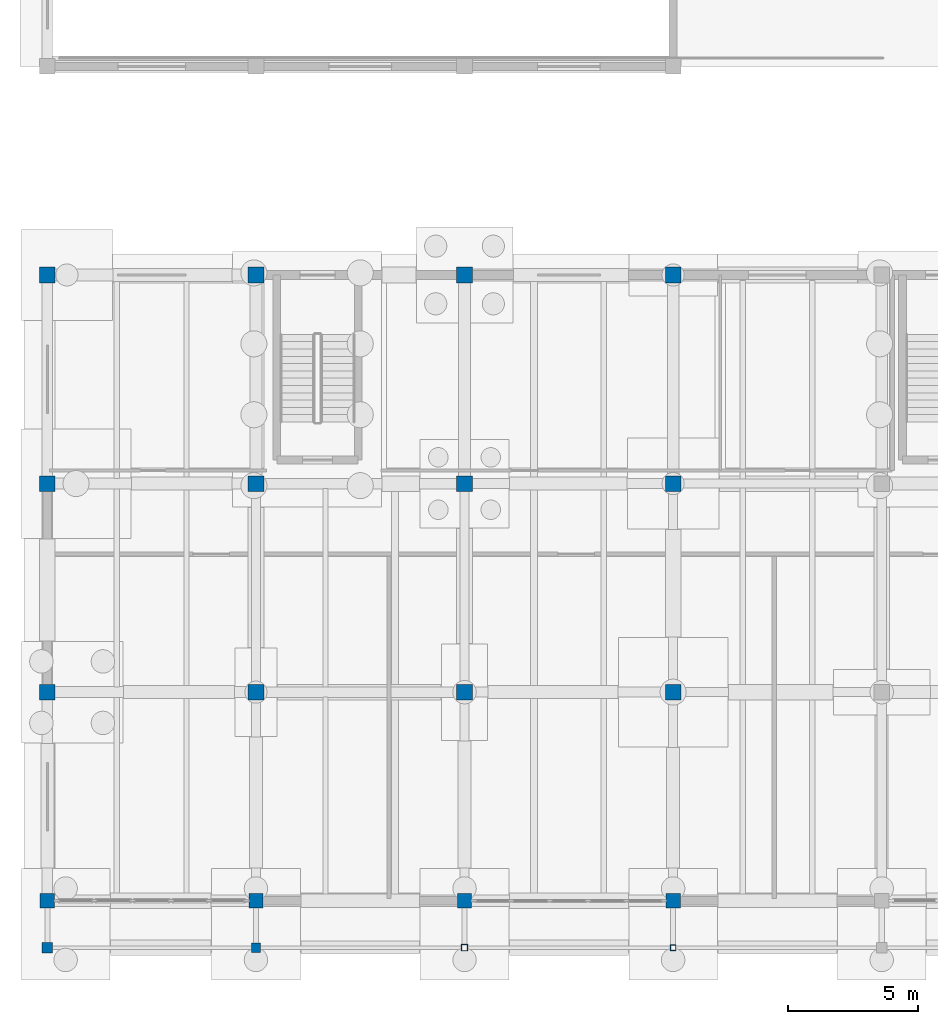
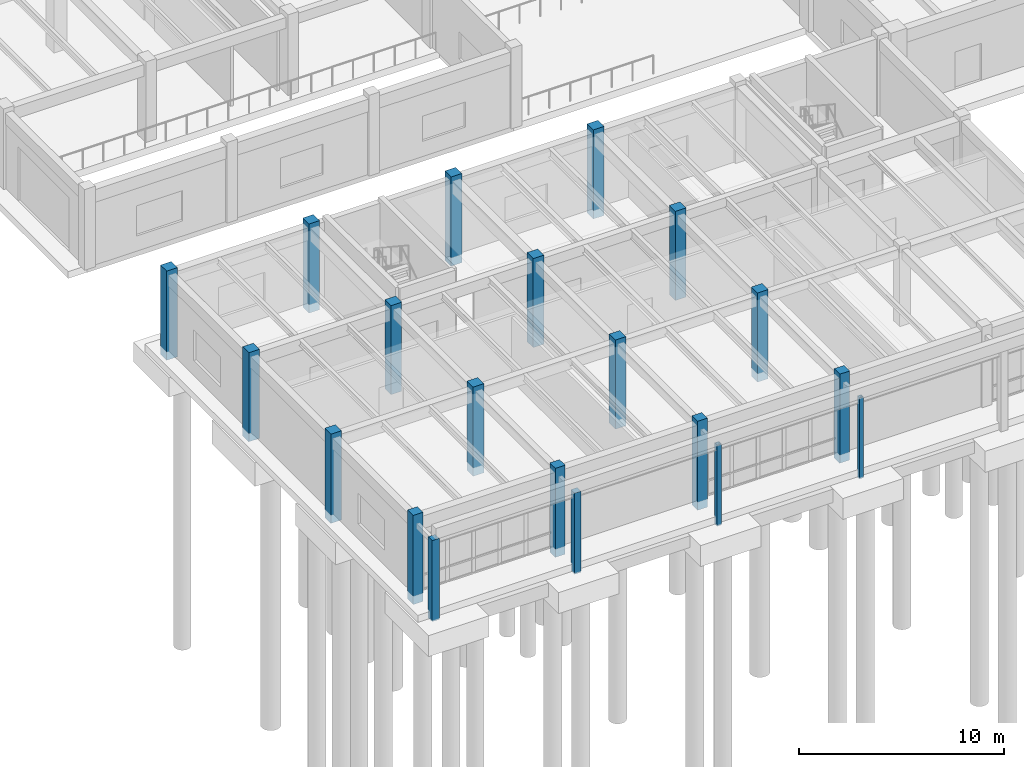
# One storey, part 5 of 64: 20 columns.
"""IFC4 building model written with IfcOpenShell, lengths in metres."""

import ifcopenshell
import ifcopenshell.guid

model = None  # the IFC model being written
_history = None  # IfcOwnerHistory: only IFC2X3 demands one
_inside = {}  # id of a spatial element -> (the spatial element, [elements in it])
_under = {}  # id of a project, library or spatial element -> (it, [spatial elements below it])
_declared = {}  # id of a project -> (the project, [libraries it declares])
_typed = {}  # id of a type object -> (the type object, [elements of that type])
_made_of = {}  # id of a material, layer set ... -> (it, [elements and type objects made of it])


def new_model(schema):
    """Start an empty IFC model of exactly this schema.

    Asked for "IFC4X3", IfcOpenShell would pick the latest addendum, in which some entities
    have other attributes; the version numbers below select the first issue.
    IFC2X3 requires an IfcOwnerHistory on every rooted entity: one is made here for all.
    """
    global model, _history
    if schema == "IFC4X3":
        model = ifcopenshell.file(schema_version=(4, 3, 0, 0))
    else:
        model = ifcopenshell.file(schema=schema)
    _inside.clear()
    _under.clear()
    _declared.clear()
    _typed.clear()
    _made_of.clear()
    _history = None
    if model.schema == "IFC2X3":
        org = make("IfcOrganization", Name="unknown")
        user = make(
            "IfcPersonAndOrganization",
            ThePerson=make("IfcPerson", FamilyName="unknown"),
            TheOrganization=org,
        )
        app = make(
            "IfcApplication",
            ApplicationDeveloper=org,
            Version="unknown",
            ApplicationFullName="unknown",
            ApplicationIdentifier="unknown",
        )
        _history = make(
            "IfcOwnerHistory",
            OwningUser=user,
            OwningApplication=app,
            ChangeAction="ADDED",
            CreationDate=0,
        )
    return model


def make(cls, **values):
    """One entity of the class cls with the attributes given. An attribute that is None is left unset."""
    return model.create_entity(
        cls, **{name: value for name, value in values.items() if value is not None}
    )


def rooted(cls, **values):
    """An entity with a GlobalId (a new one), such as an element, a storey or a relation."""
    return make(cls, GlobalId=ifcopenshell.guid.new(), OwnerHistory=_history, **values)


def si_unit(unit_type, name, prefix=None):
    """IfcSIUnit, for example si_unit("LENGTHUNIT", "METRE", prefix="MILLI")."""
    return make("IfcSIUnit", UnitType=unit_type, Prefix=prefix, Name=name)


def assignment(units):
    """IfcUnitAssignment: the units of a project."""
    return None if units is None else make("IfcUnitAssignment", Units=units)


def point(xyz):
    """IfcCartesianPoint."""
    return None if xyz is None else make("IfcCartesianPoint", Coordinates=xyz)


def direction(xyz):
    """IfcDirection."""
    return None if xyz is None else make("IfcDirection", DirectionRatios=xyz)


def frame(location, z_axis=None, x_axis=None):
    """IfcAxis2Placement3D, a coordinate frame: its origin and axes. An axis left out is left unset."""
    return make(
        "IfcAxis2Placement3D",
        Location=point(location),
        Axis=direction(z_axis),
        RefDirection=direction(x_axis),
    )


def frame_2d(location, x_axis=None):
    """IfcAxis2Placement2D, a coordinate frame in the plane: its origin and x axis."""
    return make(
        "IfcAxis2Placement2D", Location=point(location), RefDirection=direction(x_axis)
    )


def origin():
    """The frame at (0, 0, 0) with its axes left unset."""
    return frame((0.0, 0.0, 0.0))


def origin_2d():
    """The frame at (0, 0) in the plane with its x axis left unset."""
    return frame_2d((0.0, 0.0))


def place(relative_to, where):
    """IfcLocalPlacement: puts the frame where relative to a parent placement (None: the world)."""
    return make(
        "IfcLocalPlacement", PlacementRelTo=relative_to, RelativePlacement=where
    )


def context(
    kind, dimensions, precision=None, world=None, true_north=None, identifier=None
):
    """IfcGeometricRepresentationContext, for example the 3D "Model" context."""
    return make(
        "IfcGeometricRepresentationContext",
        ContextIdentifier=identifier,
        ContextType=kind,
        CoordinateSpaceDimension=dimensions,
        Precision=precision,
        WorldCoordinateSystem=world,
        TrueNorth=true_north,
    )


def subcontext(parent, identifier, kind, view, scale=None):
    """IfcGeometricRepresentationSubContext, for example "Body" below "Model"."""
    return make(
        "IfcGeometricRepresentationSubContext",
        ContextIdentifier=identifier,
        ContextType=kind,
        ParentContext=parent,
        TargetScale=scale,
        TargetView=view,
    )


def project(units=None, contexts=None):
    """IfcProject with its units and contexts."""
    return rooted(
        "IfcProject",
        Name="project",
        RepresentationContexts=contexts,
        UnitsInContext=assignment(units),
    )


def spatial(cls, under=None, at=None, **own):
    """A site, building, storey or space (cls), placed at a placement, below another one or the project."""
    s = rooted(cls, ObjectPlacement=at, **own)
    if under is not None:
        _under.setdefault(under.id(), (under, []))[1].append(s)
    return s


def profile(cls, at=None, kind="AREA", **sizes):
    """A parametric profile (cls). Its sizes go by their IFC names, for example OverallWidth=200.0."""
    return make(cls, ProfileType=kind, Position=at, **sizes)


def rectangle(**sizes):
    """IfcRectangleProfileDef."""
    return profile("IfcRectangleProfileDef", **sizes)


def hollow_rectangle(**sizes):
    """IfcRectangleHollowProfileDef."""
    return profile("IfcRectangleHollowProfileDef", **sizes)


def extrude(swept, where, along, depth):
    """IfcExtrudedAreaSolid: the profile swept, set in the frame where, extruded along a direction by depth."""
    return make(
        "IfcExtrudedAreaSolid",
        SweptArea=swept,
        Position=where,
        ExtrudedDirection=direction(along),
        Depth=depth,
    )


def shape(context_of_items, identifier, shape_type, items):
    """IfcShapeRepresentation: the items that make up one representation, for example the "Body"."""
    return make(
        "IfcShapeRepresentation",
        ContextOfItems=context_of_items,
        RepresentationIdentifier=identifier,
        RepresentationType=shape_type,
        Items=items,
    )


def material(Name=None, Category=None):
    """IfcMaterial."""
    return make("IfcMaterial", Name=Name, Category=Category)


def material_profile(
    of_material, cross_section, Name=None, Category=None, Priority=None
):
    """IfcMaterialProfile: a cross section and its material."""
    return make(
        "IfcMaterialProfile",
        Name=Name,
        Material=of_material,
        Profile=cross_section,
        Priority=Priority,
        Category=Category,
    )


def profile_set(profiles, Name=None, composite=None):
    """IfcMaterialProfileSet."""
    return make(
        "IfcMaterialProfileSet",
        Name=Name,
        MaterialProfiles=profiles,
        CompositeProfile=composite,
    )


def made_of(thing, what):
    """Note that an element or type object is made of a material, layer set ...; save() writes the relation."""
    if what is not None:
        _made_of.setdefault(what.id(), (what, []))[1].append(thing)
    return thing


def type_object(cls, material=None, **own):
    """A type object (cls), such as IfcWallType, which elements share."""
    return made_of(rooted(cls, **own), material)


def element(
    cls,
    number,
    at=None,
    inside=None,
    cuts=None,
    type_object=None,
    material=None,
    context=None,
    identifier="Body",
    shape_type=None,
    held_by="IfcProductDefinitionShape",
    body=None,
    shapes=None,
    **own,
):
    """One element of the class cls, such as IfcWall. Its Tag is "e" and its number.

    at: its placement. inside: the storey or other place that contains it. cuts: it is an
    opening in that element (IfcRelVoidsElement). A single representation is given by context,
    identifier, shape_type and body (its items); several are given by shapes. held_by: the class
    of the entity that holds the representations. save() writes the other relations.
    """
    e = rooted(cls, Tag="e%d" % number, ObjectPlacement=at, **own)
    if body is not None:
        shapes = [shape(context, identifier, shape_type, body)]
    if shapes is not None:
        e.Representation = make(held_by, Representations=shapes)
    if inside is not None:
        _inside.setdefault(inside.id(), (inside, []))[1].append(e)
    if cuts is not None:
        rooted(
            "IfcRelVoidsElement", RelatingBuildingElement=cuts, RelatedOpeningElement=e
        )
    if type_object is not None:
        _typed.setdefault(type_object.id(), (type_object, []))[1].append(e)
    return made_of(e, material)


def aggregate(whole, parts):
    """IfcRelAggregates: a whole, such as a stair, and the parts it consists of."""
    return rooted("IfcRelAggregates", RelatingObject=whole, RelatedObjects=parts)


def save(model, path):
    """Write the relations noted so far, then the file.

    IfcRelAggregates (storeys below a building ...), IfcRelContainedInSpatialStructure (elements
    in a storey), IfcRelDefinesByType, IfcRelAssociatesMaterial and IfcRelDeclares: one each for
    every whole, place, type object, material and project.
    """
    for whole, parts in _under.values():
        aggregate(whole, parts)
    for where, things in _inside.values():
        rooted(
            "IfcRelContainedInSpatialStructure",
            RelatedElements=things,
            RelatingStructure=where,
        )
    for kind, things in _typed.values():
        rooted("IfcRelDefinesByType", RelatedObjects=things, RelatingType=kind)
    for what, things in _made_of.values():
        rooted("IfcRelAssociatesMaterial", RelatedObjects=things, RelatingMaterial=what)
    for by, libraries in _declared.values():
        rooted("IfcRelDeclares", RelatingContext=by, RelatedDefinitions=libraries)
    model.write(path)


model = new_model("IFC4")

# Units and contexts
model_context = context("Model", 3, precision=1e-05, world=origin(), true_north=direction((0.0, 1.0)))
body_context = subcontext(model_context, "Body", "Model", "MODEL_VIEW")
ifc_project = project(units=[si_unit("LENGTHUNIT", "METRE"), si_unit("AREAUNIT", "SQUARE_METRE"), si_unit("VOLUMEUNIT", "CUBIC_METRE"), si_unit("PLANEANGLEUNIT", "RADIAN"), si_unit("MASSUNIT", "GRAM", prefix="KILO")], contexts=[model_context])

# Site, building, storey
site_placement = place(None, origin())
site = spatial("IfcSite", under=ifc_project, at=site_placement, CompositionType="ELEMENT")
building_placement = place(site_placement, origin())
building = spatial("IfcBuilding", under=site, at=building_placement, Name="Tlaxcora Railside Police Headquarters", CompositionType="ELEMENT")
storey_placement = place(building_placement, origin())
storey = spatial("IfcBuildingStorey", under=building, at=storey_placement, Name="L00", CompositionType="ELEMENT", Elevation=0.0)

# Columns
ifc_material_1 = material(Name="Steel ASTM A992 Grade 50", Category="steel")
ifc_material_profile_1 = material_profile(ifc_material_1, hollow_rectangle(XDim=0.25, YDim=0.25, WallThickness=0.011962890625, at=origin_2d()), Name="HSS250X250X12")
ifc_profile_set_1 = profile_set([ifc_material_profile_1], Name="Steel ASTM A992 Grade 50")
column_type_1 = type_object("IfcColumnType", Name="Facade Pilaster Column CL-25", PredefinedType="PILASTER", material=ifc_profile_set_1)
column_1_placement = place(storey_placement, frame((21.199951171875, 10.199951171875, -0.5), z_axis=(0.0, 0.0, 1.0), x_axis=(1.0, 0.0, 0.0)))
element("IfcColumn", 1, at=column_1_placement, inside=storey, type_object=column_type_1, Name="Forecourt colonnade pilaster X=21.2", PredefinedType="PILASTER", context=body_context, shape_type="SweptSolid", body=[
    extrude(hollow_rectangle(XDim=0.25, YDim=0.25, WallThickness=0.011962890625, at=origin_2d()), origin(), (0.0, 0.0, 1.0), 4.820068359375),
])
ifc_material_profile_2 = material_profile(ifc_material_1, hollow_rectangle(XDim=0.219970703125, YDim=0.219970703125, WallThickness=0.011962890625, at=origin_2d()), Name="HSS220X220X12")
ifc_profile_set_2 = profile_set([ifc_material_profile_2], Name="Steel ASTM A992 Grade 50")
column_type_2 = type_object("IfcColumnType", Name="Facade Pilaster Column CL-29", PredefinedType="PILASTER", material=ifc_profile_set_2)
column_2_placement = place(storey_placement, frame((29.199951171875, 10.199951171875, -0.5), z_axis=(0.0, 0.0, 1.0), x_axis=(1.0, 0.0, 0.0)))
element("IfcColumn", 2, at=column_2_placement, inside=storey, type_object=column_type_2, Name="Forecourt colonnade pilaster X=29.2", PredefinedType="PILASTER", context=body_context, shape_type="SweptSolid", body=[
    extrude(hollow_rectangle(XDim=0.219970703125, YDim=0.219970703125, WallThickness=0.011962890625, at=origin_2d()), origin(), (0.0, 0.0, 1.0), 4.820068359375),
])
ifc_material_2 = material(Name="Precast concrete C40/50", Category="concrete")
ifc_material_profile_3 = material_profile(ifc_material_2, rectangle(XDim=0.360107421875, YDim=0.360107421875, at=origin_2d()), Name="RC360X360")
ifc_profile_set_3 = profile_set([ifc_material_profile_3], Name="Precast concrete C40/50")
column_type_3 = type_object("IfcColumnType", Name="Facade Pilaster Column CL-34", PredefinedType="PILASTER", material=ifc_profile_set_3)
column_3_placement = place(storey_placement, frame((13.199951171875, 10.199951171875, -0.5), z_axis=(0.0, 0.0, 1.0), x_axis=(1.0, 0.0, 0.0)))
element("IfcColumn", 3, at=column_3_placement, inside=storey, type_object=column_type_3, Name="Forecourt colonnade pilaster X=13.2", PredefinedType="PILASTER", context=body_context, shape_type="SweptSolid", body=[
    extrude(rectangle(XDim=0.360107421875, YDim=0.360107421875, at=origin_2d()), origin(), (0.0, 0.0, 1.0), 4.820068359375),
])
ifc_material_profile_4 = material_profile(ifc_material_2, rectangle(XDim=0.39990234375, YDim=0.39990234375, at=origin_2d()), Name="RC400X400")
ifc_profile_set_4 = profile_set([ifc_material_profile_4], Name="Precast concrete C40/50")
column_type_4 = type_object("IfcColumnType", Name="Facade Pilaster Column CL-61", PredefinedType="PILASTER", material=ifc_profile_set_4)
column_4_placement = place(storey_placement, frame((5.199951171875, 10.199951171875, -0.5), z_axis=(0.0, 0.0, 1.0), x_axis=(1.0, 0.0, 0.0)))
element("IfcColumn", 4, at=column_4_placement, inside=storey, type_object=column_type_4, Name="Forecourt colonnade pilaster X=5.2", PredefinedType="PILASTER", context=body_context, shape_type="SweptSolid", body=[
    extrude(rectangle(XDim=0.39990234375, YDim=0.39990234375, at=origin_2d()), origin(), (0.0, 0.0, 1.0), 4.820068359375),
])
ifc_material_3 = material(Name="Concrete C40/50", Category="concrete")
ifc_material_profile_5 = material_profile(ifc_material_3, rectangle(XDim=0.60009765625, YDim=0.60009765625, at=origin_2d()), Name="RC600X600")
ifc_profile_set_5 = profile_set([ifc_material_profile_5], Name="Concrete C40/50")
column_type_5 = type_object("IfcColumnType", Name="Structural Column CL-53", PredefinedType="COLUMN", material=ifc_profile_set_5)
for number, where, z_axis, x_axis, name in (
    (5, (5.199951171875, 20.0, -0.5), (0.0, 0.0, 1.0), (1.0, 0.0, 0.0), "L00 column (5.2, 20.0)"),
    (6, (5.199951171875, 28.0, -0.5), (0.0, 0.0, 1.0), (1.0, 0.0, 0.0), "L00 column (5.2, 28.0)"),
    (7, (5.199951171875, 36.0, -0.5), (0.0, 0.0, 1.0), (1.0, 0.0, 0.0), "L00 column (5.2, 36.0)"),
    (8, (13.199951171875, 20.0, -0.5), (0.0, 0.0, 1.0), (1.0, 0.0, 0.0), "L00 column (13.2, 20.0)"),
    (9, (13.199951171875, 28.0, -0.5), (0.0, 0.0, 1.0), (1.0, 0.0, 0.0), "L00 column (13.2, 28.0)"),
    (10, (13.199951171875, 36.0, -0.5), (0.0, 0.0, 1.0), (1.0, 0.0, 0.0), "L00 column (13.2, 36.0)"),
    (11, (21.199951171875, 20.0, -0.5), (0.0, 0.0, 1.0), (1.0, 0.0, 0.0), "L00 column (21.2, 20.0)"),
    (12, (21.199951171875, 28.0, -0.5), (0.0, 0.0, 1.0), (1.0, 0.0, 0.0), "L00 column (21.2, 28.0)"),
    (13, (21.199951171875, 36.0, -0.5), (0.0, 0.0, 1.0), (1.0, 0.0, 0.0), "L00 column (21.2, 36.0)"),
    (14, (29.199951171875, 20.0, -0.5), (0.0, 0.0, 1.0), (1.0, 0.0, 0.0), "L00 column (29.2, 20.0)"),
    (15, (29.199951171875, 28.0, -0.5), (0.0, 0.0, 1.0), (1.0, 0.0, 0.0), "L00 column (29.2, 28.0)"),
    (16, (29.199951171875, 36.0, -0.5), (0.0, 0.0, 1.0), (1.0, 0.0, 0.0), "L00 column (29.2, 36.0)"),
):
    element("IfcColumn", number, at=place(storey_placement, frame(where, z_axis=z_axis, x_axis=x_axis)), inside=storey, type_object=column_type_5, Name=name, PredefinedType="COLUMN", context=body_context, shape_type="SweptSolid", body=[
        extrude(rectangle(XDim=0.60009765625, YDim=0.60009765625, at=origin_2d()), origin(), (0.0, 0.0, 1.0), 5.300048828125),
    ])
ifc_material_profile_6 = material_profile(ifc_material_3, rectangle(XDim=0.550048828125, YDim=0.550048828125, at=origin_2d()), Name="RC550X550")
ifc_profile_set_6 = profile_set([ifc_material_profile_6], Name="Concrete C40/50")
column_type_6 = type_object("IfcColumnType", Name="Structural Column CL-83", PredefinedType="COLUMN", material=ifc_profile_set_6)
for number, where, z_axis, x_axis, name in (
    (17, (5.199951171875, 12.0, -0.5), (0.0, 0.0, 1.0), (1.0, 0.0, 0.0), "L00 column (5.2, 12.0)"),
    (18, (13.199951171875, 12.0, -0.5), (0.0, 0.0, 1.0), (1.0, 0.0, 0.0), "L00 column (13.2, 12.0)"),
    (19, (21.199951171875, 12.0, -0.5), (0.0, 0.0, 1.0), (1.0, 0.0, 0.0), "L00 column (21.2, 12.0)"),
    (20, (29.199951171875, 12.0, -0.5), (0.0, 0.0, 1.0), (1.0, 0.0, 0.0), "L00 column (29.2, 12.0)"),
):
    element("IfcColumn", number, at=place(storey_placement, frame(where, z_axis=z_axis, x_axis=x_axis)), inside=storey, type_object=column_type_6, Name=name, PredefinedType="COLUMN", context=body_context, shape_type="SweptSolid", body=[
        extrude(rectangle(XDim=0.550048828125, YDim=0.550048828125, at=origin_2d()), origin(), (0.0, 0.0, 1.0), 5.300048828125),
    ])

save(model, "model.ifc")
